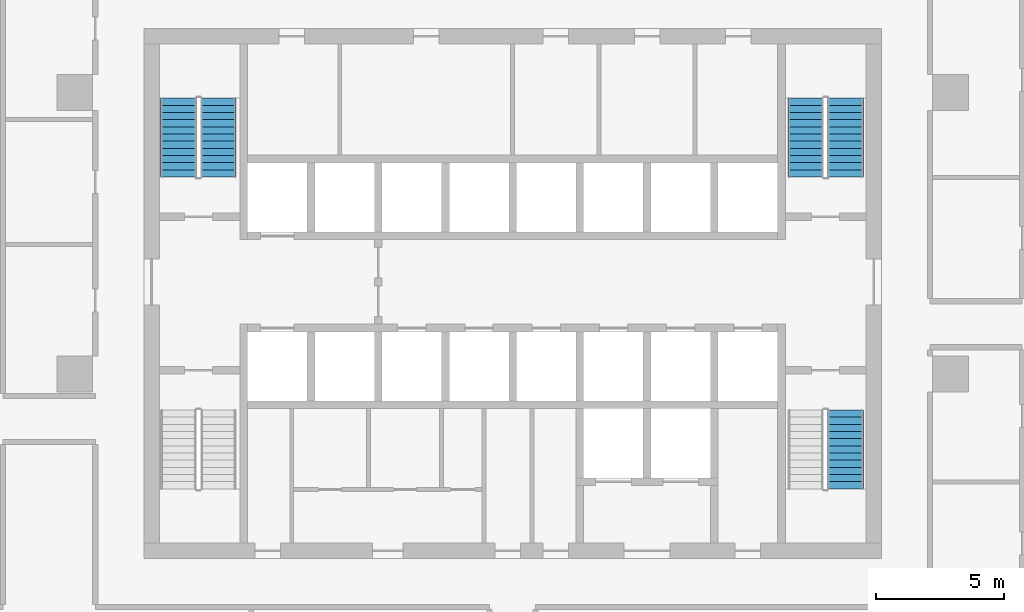
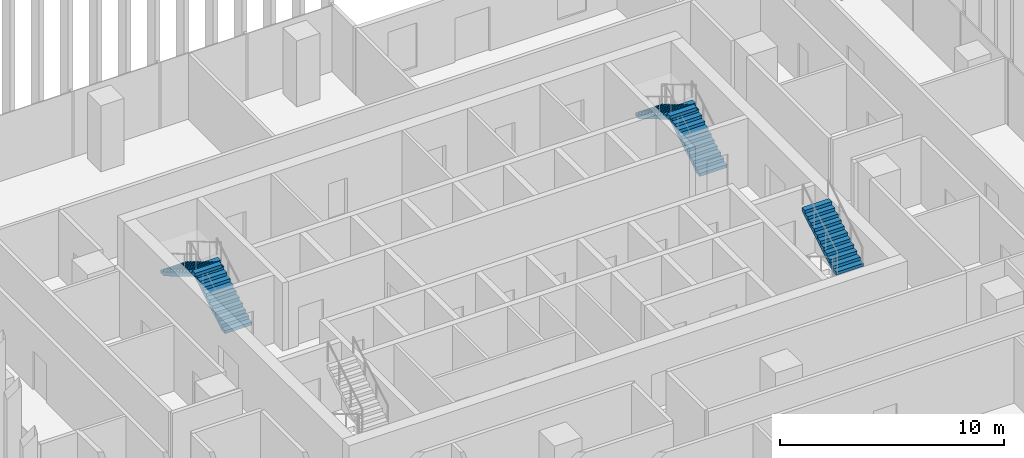
# One storey, part 11 of 16: 5 stair flights, 3 elements without a shape of their own.
"""IFC4 building model written with IfcOpenShell, lengths in metres."""

from ifc_helpers import new_model, si_unit, direction, frame, origin, place, context, subcontext, project, spatial, polyline, outline, extrude, material, type_object, element, aggregate, save


model = new_model("IFC4")

# Units and contexts
model_context = context("Model", 3, precision=1e-05, world=origin(), true_north=direction((0.0, 1.0)))
body_context = subcontext(model_context, "Body", "Model", "MODEL_VIEW")
ifc_project = project(units=[si_unit("LENGTHUNIT", "METRE"), si_unit("AREAUNIT", "SQUARE_METRE"), si_unit("VOLUMEUNIT", "CUBIC_METRE"), si_unit("PLANEANGLEUNIT", "RADIAN"), si_unit("MASSUNIT", "GRAM", prefix="KILO")], contexts=[model_context])

# Site, building, storey
site_placement = place(None, origin())
site = spatial("IfcSite", under=ifc_project, at=site_placement, CompositionType="ELEMENT")
building_placement = place(site_placement, origin())
building = spatial("IfcBuilding", under=site, at=building_placement, Name="Mopane Tessera Tower", CompositionType="ELEMENT")
storey_placement = place(building_placement, frame((0.0, 0.0, 181.0)))
storey = spatial("IfcBuildingStorey", under=building, at=storey_placement, Name="L37", CompositionType="ELEMENT", Elevation=181.0)

# Stair, stair flights
ifc_material_1 = material(Name="Concrete C50/60", Category="concrete")
stair_type = type_object("IfcStairType", Name="Escape stair 1400 mm, riser 167 mm", PredefinedType="HALF_TURN_STAIR", material=ifc_material_1)
stair_1_placement = place(storey_placement, origin())
stair_1 = element("IfcStair", 1, at=stair_1_placement, inside=storey, type_object=stair_type, Name="L37 Escape stair north-west", PredefinedType="HALF_TURN_STAIR")
ifc_material_2 = material(Name="Concrete C50/60", Category="concrete")
stair_flight_type = type_object("IfcStairFlightType", Name="Escape stair flight 1400 mm", PredefinedType="STRAIGHT", material=ifc_material_2)
stair_flight_1_placement = place(storey_placement, frame((-11.5, 7.699951171875, 0.0), z_axis=(0.0, 0.0, 1.0), x_axis=(0.0, 1.0, 0.0)))
stair_flight_1 = element("IfcStairFlight", 2, at=stair_flight_1_placement, type_object=stair_flight_type, Name="ST2 flight 1", NumberOfRisers=12, NumberOfTreads=11, PredefinedType="STRAIGHT", RiserHeight=0.166666667, TreadLength=0.28, context=body_context, shape_type="SweptSolid", body=[
    extrude(outline(polyline([(0.0, 0.0), (0.0, 0.166748046875), (0.280029296875, 0.166748046875), (0.280029296875, 0.333251953125), (0.56005859375, 0.333251953125), (0.56005859375, 0.5), (0.840087890625, 0.5), (0.840087890625, 0.666748046875), (1.1201171875, 0.666748046875), (1.1201171875, 0.833251953125), (1.39990234375, 0.833251953125), (1.39990234375, 1.0), (1.679931640625, 1.0), (1.679931640625, 1.166748046875), (1.9599609375, 1.166748046875), (1.9599609375, 1.333251953125), (2.239990234375, 1.333251953125), (2.239990234375, 1.5), (2.52001953125, 1.5), (2.52001953125, 1.666748046875), (2.800048828125, 1.666748046875), (2.800048828125, 1.833251953125), (3.080078125, 1.833251953125), (3.080078125, 2.0), (3.080078125, 1.658935546875), (0.29296875, 0.0), (0.0, 0.0)])), frame((0.0, 0.699951171875, 0.0), z_axis=(0.0, -1.0, 0.0), x_axis=(1.0, 0.0, 0.0)), (0.0, 0.0, 1.0), 1.39990234375),
])
stair_flight_2_placement = place(storey_placement, frame((-13.050048828125, 10.780029296875, 2.0), z_axis=(0.0, 0.0, 1.0), x_axis=(0.0, -1.0, 0.0)))
stair_flight_2 = element("IfcStairFlight", 3, at=stair_flight_2_placement, type_object=stair_flight_type, Name="ST2 flight 2", NumberOfRisers=12, NumberOfTreads=11, PredefinedType="STRAIGHT", RiserHeight=0.166666667, TreadLength=0.28, context=body_context, shape_type="SweptSolid", body=[
    extrude(outline(polyline([(0.0, 0.0), (0.0, 0.166748046875), (0.280029296875, 0.166748046875), (0.280029296875, 0.333251953125), (0.56005859375, 0.333251953125), (0.56005859375, 0.5), (0.840087890625, 0.5), (0.840087890625, 0.666748046875), (1.1201171875, 0.666748046875), (1.1201171875, 0.833251953125), (1.39990234375, 0.833251953125), (1.39990234375, 1.0), (1.679931640625, 1.0), (1.679931640625, 1.166748046875), (1.9599609375, 1.166748046875), (1.9599609375, 1.333251953125), (2.239990234375, 1.333251953125), (2.239990234375, 1.5), (2.52001953125, 1.5), (2.52001953125, 1.666748046875), (2.800048828125, 1.666748046875), (2.800048828125, 1.833251953125), (3.080078125, 1.833251953125), (3.080078125, 2.0), (3.080078125, 1.658935546875), (0.29296875, 0.0), (0.0, 0.0)])), frame((0.0, 0.699951171875, 0.0), z_axis=(0.0, -1.0, 0.0), x_axis=(1.0, 0.0, 0.0)), (0.0, 0.0, 1.0), 1.39990234375),
])
aggregate(stair_1, [stair_flight_1, stair_flight_2])

# Stair, stair flight
stair_2_placement = place(storey_placement, origin())
stair_2 = element("IfcStair", 4, at=stair_2_placement, inside=storey, type_object=stair_type, Name="L37 Escape stair south-east", PredefinedType="HALF_TURN_STAIR")
stair_flight_3_placement = place(storey_placement, frame((13.0, -4.47998046875, 2.0), z_axis=(0.0, 0.0, 1.0), x_axis=(0.0, 1.0, 0.0)))
stair_flight_3 = element("IfcStairFlight", 5, at=stair_flight_3_placement, type_object=stair_flight_type, Name="ST3 flight 2", NumberOfRisers=12, NumberOfTreads=11, PredefinedType="STRAIGHT", RiserHeight=0.166666667, TreadLength=0.28, context=body_context, shape_type="SweptSolid", body=[
    extrude(outline(polyline([(0.0, 0.0), (0.0, 0.166748046875), (0.280029296875, 0.166748046875), (0.280029296875, 0.333251953125), (0.56005859375, 0.333251953125), (0.56005859375, 0.5), (0.840087890625, 0.5), (0.840087890625, 0.666748046875), (1.1201171875, 0.666748046875), (1.1201171875, 0.833251953125), (1.39990234375, 0.833251953125), (1.39990234375, 1.0), (1.679931640625, 1.0), (1.679931640625, 1.166748046875), (1.9599609375, 1.166748046875), (1.9599609375, 1.333251953125), (2.239990234375, 1.333251953125), (2.239990234375, 1.5), (2.52001953125, 1.5), (2.52001953125, 1.666748046875), (2.800048828125, 1.666748046875), (2.800048828125, 1.833251953125), (3.080078125, 1.833251953125), (3.080078125, 2.0), (3.080078125, 1.658935546875), (0.29296875, 0.0), (0.0, 0.0)])), frame((0.0, 0.699951171875, 0.0), z_axis=(0.0, -1.0, 0.0), x_axis=(1.0, 0.0, 0.0)), (0.0, 0.0, 1.0), 1.39990234375),
])
aggregate(stair_2, [stair_flight_3])

# Stair, stair flights
stair_3_placement = place(storey_placement, origin())
stair_3 = element("IfcStair", 6, at=stair_3_placement, inside=storey, type_object=stair_type, Name="L37 Escape stair north-east", PredefinedType="HALF_TURN_STAIR")
stair_flight_4_placement = place(storey_placement, frame((13.0, 7.699951171875, 0.0), z_axis=(0.0, 0.0, 1.0), x_axis=(0.0, 1.0, 0.0)))
stair_flight_4 = element("IfcStairFlight", 7, at=stair_flight_4_placement, type_object=stair_flight_type, Name="ST4 flight 1", NumberOfRisers=12, NumberOfTreads=11, PredefinedType="STRAIGHT", RiserHeight=0.166666667, TreadLength=0.28, context=body_context, shape_type="SweptSolid", body=[
    extrude(outline(polyline([(0.0, 0.0), (0.0, 0.166748046875), (0.280029296875, 0.166748046875), (0.280029296875, 0.333251953125), (0.56005859375, 0.333251953125), (0.56005859375, 0.5), (0.840087890625, 0.5), (0.840087890625, 0.666748046875), (1.1201171875, 0.666748046875), (1.1201171875, 0.833251953125), (1.39990234375, 0.833251953125), (1.39990234375, 1.0), (1.679931640625, 1.0), (1.679931640625, 1.166748046875), (1.9599609375, 1.166748046875), (1.9599609375, 1.333251953125), (2.239990234375, 1.333251953125), (2.239990234375, 1.5), (2.52001953125, 1.5), (2.52001953125, 1.666748046875), (2.800048828125, 1.666748046875), (2.800048828125, 1.833251953125), (3.080078125, 1.833251953125), (3.080078125, 2.0), (3.080078125, 1.658935546875), (0.29296875, 0.0), (0.0, 0.0)])), frame((0.0, 0.699951171875, 0.0), z_axis=(0.0, -1.0, 0.0), x_axis=(1.0, 0.0, 0.0)), (0.0, 0.0, 1.0), 1.39990234375),
])
stair_flight_5_placement = place(storey_placement, frame((11.449951171875, 10.780029296875, 2.0), z_axis=(0.0, 0.0, 1.0), x_axis=(0.0, -1.0, 0.0)))
stair_flight_5 = element("IfcStairFlight", 8, at=stair_flight_5_placement, type_object=stair_flight_type, Name="ST4 flight 2", NumberOfRisers=12, NumberOfTreads=11, PredefinedType="STRAIGHT", RiserHeight=0.166666667, TreadLength=0.28, context=body_context, shape_type="SweptSolid", body=[
    extrude(outline(polyline([(0.0, 0.0), (0.0, 0.166748046875), (0.280029296875, 0.166748046875), (0.280029296875, 0.333251953125), (0.56005859375, 0.333251953125), (0.56005859375, 0.5), (0.840087890625, 0.5), (0.840087890625, 0.666748046875), (1.1201171875, 0.666748046875), (1.1201171875, 0.833251953125), (1.39990234375, 0.833251953125), (1.39990234375, 1.0), (1.679931640625, 1.0), (1.679931640625, 1.166748046875), (1.9599609375, 1.166748046875), (1.9599609375, 1.333251953125), (2.239990234375, 1.333251953125), (2.239990234375, 1.5), (2.52001953125, 1.5), (2.52001953125, 1.666748046875), (2.800048828125, 1.666748046875), (2.800048828125, 1.833251953125), (3.080078125, 1.833251953125), (3.080078125, 2.0), (3.080078125, 1.658935546875), (0.29296875, 0.0), (0.0, 0.0)])), frame((0.0, 0.699951171875, 0.0), z_axis=(0.0, -1.0, 0.0), x_axis=(1.0, 0.0, 0.0)), (0.0, 0.0, 1.0), 1.39990234375),
])
aggregate(stair_3, [stair_flight_4, stair_flight_5])

save(model, "model.ifc")
